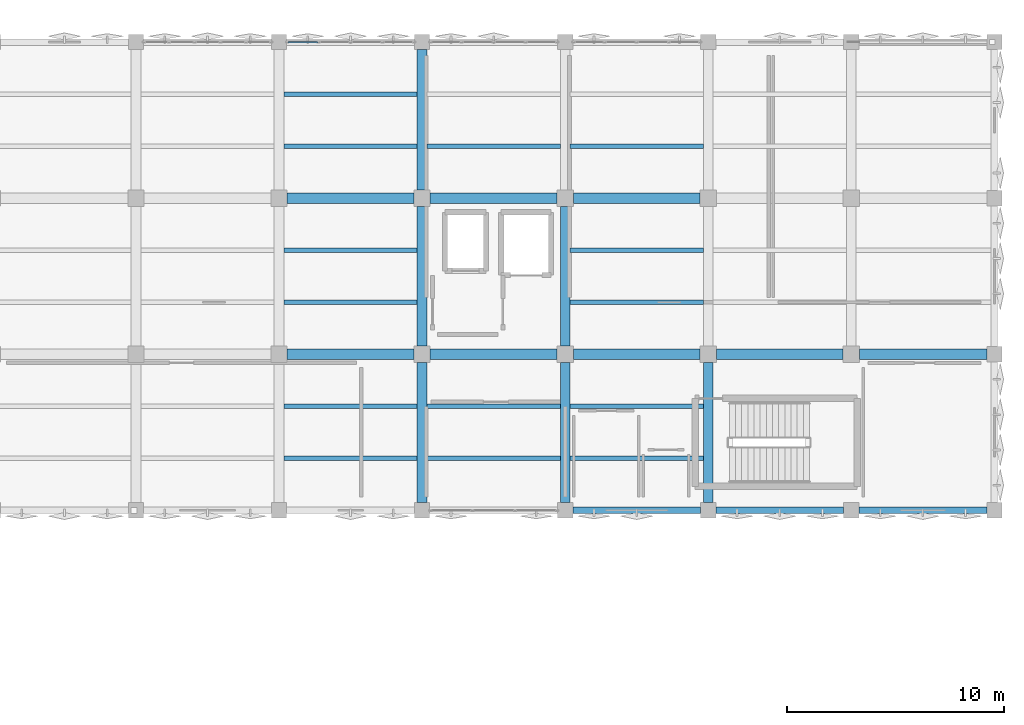
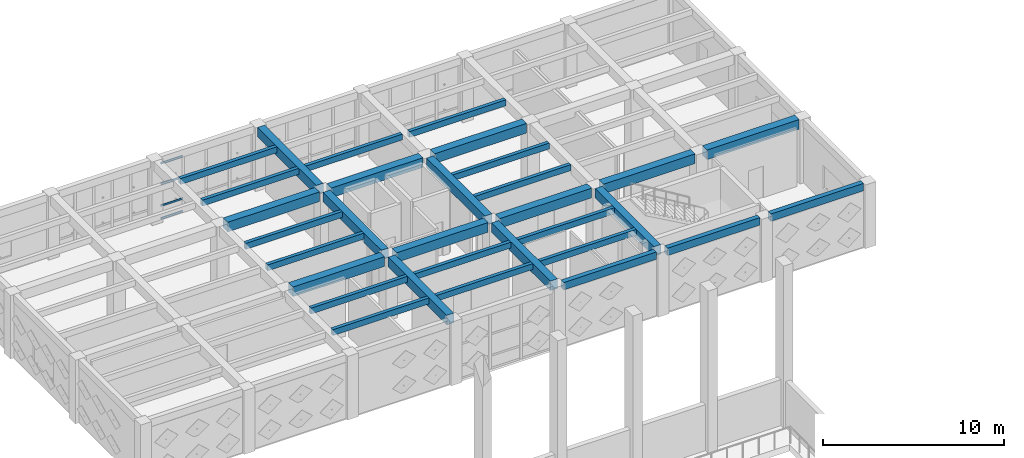
# One storey, part 46 of 80: 31 beams, 4 members, 1 element without a shape of its own.
"""IFC4 building model written with IfcOpenShell, lengths in metres."""

from ifc_helpers import new_model, si_unit, direction, frame, origin, origin_2d, place, context, subcontext, project, spatial, rectangle, hollow_rectangle, extrude, material, layer, layer_set, material_profile, profile_set, type_object, element, aggregate, save


model = new_model("IFC4")

# Units and contexts
model_context = context("Model", 3, precision=1e-05, world=origin(), true_north=direction((0.0, 1.0)))
body_context = subcontext(model_context, "Body", "Model", "MODEL_VIEW")
ifc_project = project(units=[si_unit("LENGTHUNIT", "METRE"), si_unit("AREAUNIT", "SQUARE_METRE"), si_unit("VOLUMEUNIT", "CUBIC_METRE"), si_unit("PLANEANGLEUNIT", "RADIAN"), si_unit("MASSUNIT", "GRAM", prefix="KILO")], contexts=[model_context])

# Site, building, storey
site_placement = place(None, origin())
site = spatial("IfcSite", under=ifc_project, at=site_placement, CompositionType="ELEMENT")
building_placement = place(site_placement, origin())
building = spatial("IfcBuilding", under=site, at=building_placement, Name="Kharisveld Research Institute", CompositionType="ELEMENT")
storey_placement = place(building_placement, frame((0.0, 0.0, 5.10009765625)))
storey = spatial("IfcBuildingStorey", under=building, at=storey_placement, Name="L01", CompositionType="ELEMENT", Elevation=5.10009765625)

# Beams
ifc_material_1 = material(Name="Concrete C40/50", Category="concrete")
ifc_material_profile_1 = material_profile(ifc_material_1, rectangle(XDim=0.449951171875, YDim=0.64990234375, at=origin_2d()))
ifc_profile_set_1 = profile_set([ifc_material_profile_1], Name="Concrete C40/50")
beam_type_1 = type_object("IfcBeamType", Name="BM_RC_450x650", PredefinedType="BEAM", material=ifc_profile_set_1)
beam_1_placement = place(storey_placement, frame((134.39990234375, 39.550048828125, 3.96484375), z_axis=(0.0, 1.0, 0.0), x_axis=(-1.0, 0.0, 0.0)))
element("IfcBeam", 1, at=beam_1_placement, inside=storey, type_object=beam_type_1, Name="BM:V2:L01:V3_0", PredefinedType="BEAM", context=body_context, shape_type="SweptSolid", body=[
    extrude(rectangle(XDim=0.449951171875, YDim=0.64990234375, at=origin_2d()), origin(), (0.0, 0.0, 1.0), 6.474853515625),
])
beam_2_placement = place(storey_placement, frame((134.39990234375, 46.77490234375, 3.96484375), z_axis=(0.0, 1.0, 0.0), x_axis=(-1.0, 0.0, 0.0)))
element("IfcBeam", 2, at=beam_2_placement, inside=storey, type_object=beam_type_1, Name="BM:V2:L01:V3_1", PredefinedType="BEAM", context=body_context, shape_type="SweptSolid", body=[
    extrude(rectangle(XDim=0.449951171875, YDim=0.64990234375, at=origin_2d()), origin(), (0.0, 0.0, 1.0), 6.4501953125),
])
for number, where, z_axis, x_axis, name in (
    (3, (134.39990234375, 53.97509765625, 3.96484375), (0.0, 1.0, 0.0), (-1.0, 0.0, 0.0), "BM:V2:L01:V3_2"),
    (4, (141.0, 39.550048828125, 3.96484375), (0.0, 1.0, 0.0), (-1.0, 0.0, 0.0), "BM:V2:L01:V4_0"),
):
    element("IfcBeam", number, at=place(storey_placement, frame(where, z_axis=z_axis, x_axis=x_axis)), inside=storey, type_object=beam_type_1, Name=name, PredefinedType="BEAM", context=body_context, shape_type="SweptSolid", body=[
        extrude(rectangle(XDim=0.449951171875, YDim=0.64990234375, at=origin_2d()), origin(), (0.0, 0.0, 1.0), 6.474853515625),
    ])
beam_3_placement = place(storey_placement, frame((141.0, 46.77490234375, 3.96484375), z_axis=(0.0, 1.0, 0.0), x_axis=(-1.0, 0.0, 0.0)))
element("IfcBeam", 5, at=beam_3_placement, inside=storey, type_object=beam_type_1, Name="BM:V2:L01:V4_1", PredefinedType="BEAM", context=body_context, shape_type="SweptSolid", body=[
    extrude(rectangle(XDim=0.449951171875, YDim=0.64990234375, at=origin_2d()), origin(), (0.0, 0.0, 1.0), 6.4501953125),
])
beam_4_placement = place(storey_placement, frame((147.60009765625, 39.550048828125, 3.96484375), z_axis=(0.0, 1.0, 0.0), x_axis=(-1.0, 0.0, 0.0)))
element("IfcBeam", 6, at=beam_4_placement, inside=storey, type_object=beam_type_1, Name="BM:V2:L01:V5_0", PredefinedType="BEAM", context=body_context, shape_type="SweptSolid", body=[
    extrude(rectangle(XDim=0.449951171875, YDim=0.64990234375, at=origin_2d()), origin(), (0.0, 0.0, 1.0), 6.474853515625),
])
ifc_material_2 = material(Name="Concrete C40/50", Category="concrete")
ifc_material_profile_2 = material_profile(ifc_material_2, rectangle(XDim=0.5, YDim=0.64990234375, at=origin_2d()))
ifc_profile_set_2 = profile_set([ifc_material_profile_2], Name="Concrete C40/50")
beam_type_2 = type_object("IfcBeamType", Name="BM_RC_500x650", PredefinedType="BEAM", material=ifc_profile_set_2)
beam_5_placement = place(storey_placement, frame((128.175048828125, 46.39990234375, 3.96484375), z_axis=(1.0, 0.0, 0.0), x_axis=(0.0, 1.0, 0.0)))
element("IfcBeam", 7, at=beam_5_placement, inside=storey, type_object=beam_type_2, Name="BM:V2:L01:U2_1", PredefinedType="BEAM", context=body_context, shape_type="SweptSolid", body=[
    extrude(rectangle(XDim=0.5, YDim=0.64990234375, at=origin_2d()), origin(), (0.0, 0.0, 1.0), 5.849853515625),
])
for number, where, z_axis, x_axis, name in (
    (8, (134.77490234375, 46.39990234375, 3.96484375), (1.0, 0.0, 0.0), (0.0, 1.0, 0.0), "BM:V2:L01:U3_1"),
    (9, (141.375, 46.39990234375, 3.96484375), (1.0, 0.0, 0.0), (0.0, 1.0, 0.0), "BM:V2:L01:U4_1"),
):
    element("IfcBeam", number, at=place(storey_placement, frame(where, z_axis=z_axis, x_axis=x_axis)), inside=storey, type_object=beam_type_2, Name=name, PredefinedType="BEAM", context=body_context, shape_type="SweptSolid", body=[
        extrude(rectangle(XDim=0.5, YDim=0.64990234375, at=origin_2d()), origin(), (0.0, 0.0, 1.0), 5.85009765625),
    ])
beam_6_placement = place(storey_placement, frame((147.97509765625, 46.39990234375, 3.96484375), z_axis=(1.0, 0.0, 0.0), x_axis=(0.0, 1.0, 0.0)))
element("IfcBeam", 10, at=beam_6_placement, inside=storey, type_object=beam_type_2, Name="BM:V2:L01:U5_1", PredefinedType="BEAM", context=body_context, shape_type="SweptSolid", body=[
    extrude(rectangle(XDim=0.5, YDim=0.64990234375, at=origin_2d()), origin(), (0.0, 0.0, 1.0), 5.849853515625),
])
beam_7_placement = place(storey_placement, frame((154.574951171875, 46.39990234375, 3.96484375), z_axis=(1.0, 0.0, 0.0), x_axis=(0.0, 1.0, 0.0)))
element("IfcBeam", 11, at=beam_7_placement, inside=storey, type_object=beam_type_2, Name="BM:V2:L01:U6_1", PredefinedType="BEAM", context=body_context, shape_type="SweptSolid", body=[
    extrude(rectangle(XDim=0.5, YDim=0.64990234375, at=origin_2d()), origin(), (0.0, 0.0, 1.0), 5.875),
])
beam_8_placement = place(storey_placement, frame((128.175048828125, 53.60009765625, 3.96484375), z_axis=(1.0, 0.0, 0.0), x_axis=(0.0, 1.0, 0.0)))
element("IfcBeam", 12, at=beam_8_placement, inside=storey, type_object=beam_type_2, Name="BM:V2:L01:U2_2", PredefinedType="BEAM", context=body_context, shape_type="SweptSolid", body=[
    extrude(rectangle(XDim=0.5, YDim=0.64990234375, at=origin_2d()), origin(), (0.0, 0.0, 1.0), 5.849853515625),
])
for number, where, z_axis, x_axis, name in (
    (13, (134.77490234375, 53.60009765625, 3.96484375), (1.0, 0.0, 0.0), (0.0, 1.0, 0.0), "BM:V2:L01:U3_2"),
    (14, (141.375, 53.60009765625, 3.96484375), (1.0, 0.0, 0.0), (0.0, 1.0, 0.0), "BM:V2:L01:U4_2"),
):
    element("IfcBeam", number, at=place(storey_placement, frame(where, z_axis=z_axis, x_axis=x_axis)), inside=storey, type_object=beam_type_2, Name=name, PredefinedType="BEAM", context=body_context, shape_type="SweptSolid", body=[
        extrude(rectangle(XDim=0.5, YDim=0.64990234375, at=origin_2d()), origin(), (0.0, 0.0, 1.0), 5.85009765625),
    ])

# Curtain wall, members
ifc_material_3 = material(Name="Thermally Broken Aluminium Curtain Wall", Category="aluminium")
ifc_layer = layer(ifc_material_3, 0.159912109375)
ifc_layer_set = layer_set([ifc_layer], Name="CW_SYS_02")
curtain_wall_type = type_object("IfcCurtainWallType", Name="CW_SYS_02", PredefinedType="NOTDEFINED", material=ifc_layer_set)
curtain_wall_placement = place(storey_placement, origin())
curtain_wall = element("IfcCurtainWall", 15, at=curtain_wall_placement, inside=storey, type_object=curtain_wall_type, Name="CW:V2:L01:N2", PredefinedType="NOTDEFINED")
ifc_material_4 = material(Name="Anodised Aluminium AW-6063-T6", Category="aluminium")
ifc_material_profile_3 = material_profile(ifc_material_4, hollow_rectangle(XDim=0.06005859375, YDim=0.1201171875, WallThickness=0.00390625, at=origin_2d()))
ifc_profile_set_3 = profile_set([ifc_material_profile_3], Name="Anodised Aluminium AW-6063-T6")
member_type = type_object("IfcMemberType", Name="CW_TRN_120", PredefinedType="USERDEFINED", material=ifc_profile_set_3)
member_1_placement = place(storey_placement, frame((128.2099609375, 60.800048828125, 0.02978515625), z_axis=(1.0, 0.0, 0.0), x_axis=(0.0, 1.0, 0.0)))
member_1 = element("IfcMember", 16, at=member_1_placement, type_object=member_type, Name="CW-02 transom 1.1", ObjectType="TRANSOM", PredefinedType="USERDEFINED", context=body_context, shape_type="SweptSolid", body=[
    extrude(hollow_rectangle(XDim=0.06005859375, YDim=0.1201171875, WallThickness=0.00390625, at=origin_2d()), origin(), (0.0, 0.0, 1.0), 1.380126953125),
])
member_2_placement = place(storey_placement, frame((128.2099609375, 60.800048828125, 0.89990234375), z_axis=(1.0, 0.0, 0.0), x_axis=(0.0, 1.0, 0.0)))
member_2 = element("IfcMember", 17, at=member_2_placement, type_object=member_type, Name="CW-02 transom 1.2", ObjectType="TRANSOM", PredefinedType="USERDEFINED", context=body_context, shape_type="SweptSolid", body=[
    extrude(hollow_rectangle(XDim=0.06005859375, YDim=0.1201171875, WallThickness=0.00390625, at=origin_2d()), origin(), (0.0, 0.0, 1.0), 1.380126953125),
])
member_3_placement = place(storey_placement, frame((128.2099609375, 60.800048828125, 2.349853515625), z_axis=(1.0, 0.0, 0.0), x_axis=(0.0, 1.0, 0.0)))
member_3 = element("IfcMember", 18, at=member_3_placement, type_object=member_type, Name="CW-02 transom 1.3", ObjectType="TRANSOM", PredefinedType="USERDEFINED", context=body_context, shape_type="SweptSolid", body=[
    extrude(hollow_rectangle(XDim=0.06005859375, YDim=0.1201171875, WallThickness=0.00390625, at=origin_2d()), origin(), (0.0, 0.0, 1.0), 1.380126953125),
])
member_4_placement = place(storey_placement, frame((128.2099609375, 60.800048828125, 3.75), z_axis=(1.0, 0.0, 0.0), x_axis=(0.0, 1.0, 0.0)))
member_4 = element("IfcMember", 19, at=member_4_placement, type_object=member_type, Name="CW-02 transom 1.4", ObjectType="TRANSOM", PredefinedType="USERDEFINED", context=body_context, shape_type="SweptSolid", body=[
    extrude(hollow_rectangle(XDim=0.06005859375, YDim=0.1201171875, WallThickness=0.00390625, at=origin_2d()), origin(), (0.0, 0.0, 1.0), 1.380126953125),
])
aggregate(curtain_wall, [member_1, member_2, member_3, member_4])

# Beams
ifc_material_5 = material(Name="Concrete C40/50", Category="concrete")
ifc_material_profile_4 = material_profile(ifc_material_5, rectangle(XDim=0.300048828125, YDim=0.5, at=origin_2d()))
ifc_profile_set_4 = profile_set([ifc_material_profile_4], Name="Concrete C40/50")
beam_type_3 = type_object("IfcBeamType", Name="SP_RC_300x500", PredefinedType="SPANDREL", material=ifc_profile_set_4)
beam_9_placement = place(storey_placement, frame((141.35009765625, 39.199951171875, 4.039794921875), z_axis=(1.0, 0.0, 0.0), x_axis=(0.0, 1.0, 0.0)))
element("IfcBeam", 20, at=beam_9_placement, inside=storey, type_object=beam_type_3, Name="BM:V2:L01:U4_0", PredefinedType="SPANDREL", context=body_context, shape_type="SweptSolid", body=[
    extrude(rectangle(XDim=0.300048828125, YDim=0.5, at=origin_2d()), origin(), (0.0, 0.0, 1.0), 5.89990234375),
])
beam_10_placement = place(storey_placement, frame((147.949951171875, 39.199951171875, 4.039794921875), z_axis=(1.0, 0.0, 0.0), x_axis=(0.0, 1.0, 0.0)))
element("IfcBeam", 21, at=beam_10_placement, inside=storey, type_object=beam_type_3, Name="BM:V2:L01:U5_0", PredefinedType="SPANDREL", context=body_context, shape_type="SweptSolid", body=[
    extrude(rectangle(XDim=0.300048828125, YDim=0.5, at=origin_2d()), origin(), (0.0, 0.0, 1.0), 5.900146484375),
])
beam_11_placement = place(storey_placement, frame((154.550048828125, 39.199951171875, 4.039794921875), z_axis=(1.0, 0.0, 0.0), x_axis=(0.0, 1.0, 0.0)))
element("IfcBeam", 22, at=beam_11_placement, inside=storey, type_object=beam_type_3, Name="BM:V2:L01:U6_0", PredefinedType="SPANDREL", context=body_context, shape_type="SweptSolid", body=[
    extrude(rectangle(XDim=0.300048828125, YDim=0.5, at=origin_2d()), origin(), (0.0, 0.0, 1.0), 5.89990234375),
])
ifc_material_6 = material(Name="Concrete C40/50", Category="concrete")
ifc_material_profile_5 = material_profile(ifc_material_6, rectangle(XDim=0.219970703125, YDim=0.39990234375, at=origin_2d()))
ifc_profile_set_5 = profile_set([ifc_material_profile_5], Name="Concrete C40/50")
beam_type_4 = type_object("IfcBeamType", Name="WB_RC_220x400", PredefinedType="JOIST", material=ifc_profile_set_5)
for number, where, z_axis, x_axis, name in (
    (23, (128.02490234375, 41.60009765625, 4.08984375), (1.0, 0.0, 0.0), (0.0, 1.0, 0.0), "BM:V2:L01:J_2_0_R1"),
    (24, (128.02490234375, 44.0, 4.08984375), (1.0, 0.0, 0.0), (0.0, 1.0, 0.0), "BM:V2:L01:J_2_0_R2"),
    (25, (128.02490234375, 48.800048828125, 4.08984375), (1.0, 0.0, 0.0), (0.0, 1.0, 0.0), "BM:V2:L01:J_2_1_R1"),
    (26, (128.02490234375, 51.199951171875, 4.08984375), (1.0, 0.0, 0.0), (0.0, 1.0, 0.0), "BM:V2:L01:J_2_1_R2"),
    (27, (128.02490234375, 56.0, 4.08984375), (1.0, 0.0, 0.0), (0.0, 1.0, 0.0), "BM:V2:L01:J_2_2_R1"),
    (28, (128.02490234375, 58.39990234375, 4.08984375), (1.0, 0.0, 0.0), (0.0, 1.0, 0.0), "BM:V2:L01:J_2_2_R2"),
):
    element("IfcBeam", number, at=place(storey_placement, frame(where, z_axis=z_axis, x_axis=x_axis)), inside=storey, type_object=beam_type_4, Name=name, PredefinedType="JOIST", context=body_context, shape_type="SweptSolid", body=[
        extrude(rectangle(XDim=0.219970703125, YDim=0.39990234375, at=origin_2d()), origin(), (0.0, 0.0, 1.0), 6.150146484375),
    ])
for number, where, z_axis, x_axis, name in (
    (29, (134.625, 41.60009765625, 4.08984375), (1.0, 0.0, 0.0), (0.0, 1.0, 0.0), "BM:V2:L01:J_3_0_R1"),
    (30, (134.625, 44.0, 4.08984375), (1.0, 0.0, 0.0), (0.0, 1.0, 0.0), "BM:V2:L01:J_3_0_R2"),
    (31, (134.625, 56.0, 4.08984375), (1.0, 0.0, 0.0), (0.0, 1.0, 0.0), "BM:V2:L01:J_3_2_R1"),
    (32, (141.22509765625, 41.60009765625, 4.08984375), (1.0, 0.0, 0.0), (0.0, 1.0, 0.0), "BM:V2:L01:J_4_0_R1"),
    (33, (141.22509765625, 44.0, 4.08984375), (1.0, 0.0, 0.0), (0.0, 1.0, 0.0), "BM:V2:L01:J_4_0_R2"),
    (34, (141.22509765625, 48.800048828125, 4.08984375), (1.0, 0.0, 0.0), (0.0, 1.0, 0.0), "BM:V2:L01:J_4_1_R1"),
    (35, (141.22509765625, 51.199951171875, 4.08984375), (1.0, 0.0, 0.0), (0.0, 1.0, 0.0), "BM:V2:L01:J_4_1_R2"),
    (36, (141.22509765625, 56.0, 4.08984375), (1.0, 0.0, 0.0), (0.0, 1.0, 0.0), "BM:V2:L01:J_4_2_R1"),
):
    element("IfcBeam", number, at=place(storey_placement, frame(where, z_axis=z_axis, x_axis=x_axis)), inside=storey, type_object=beam_type_4, Name=name, PredefinedType="JOIST", context=body_context, shape_type="SweptSolid", body=[
        extrude(rectangle(XDim=0.219970703125, YDim=0.39990234375, at=origin_2d()), origin(), (0.0, 0.0, 1.0), 6.14990234375),
    ])

save(model, "model.ifc")
